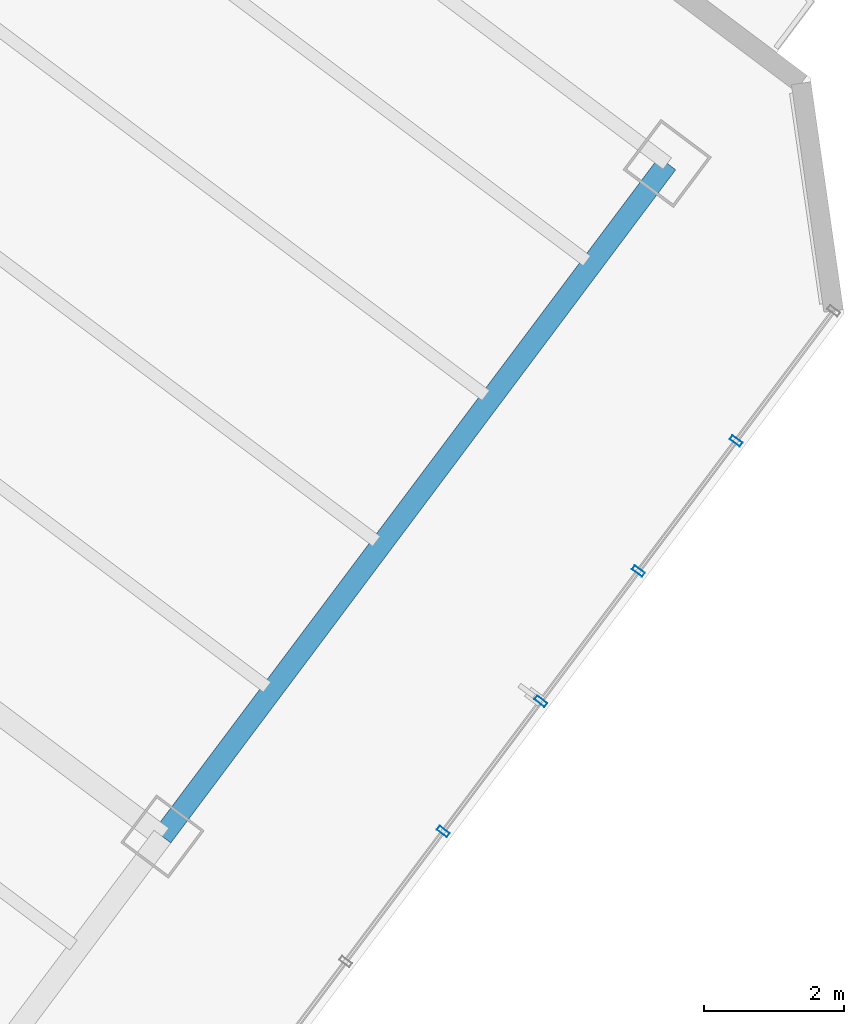
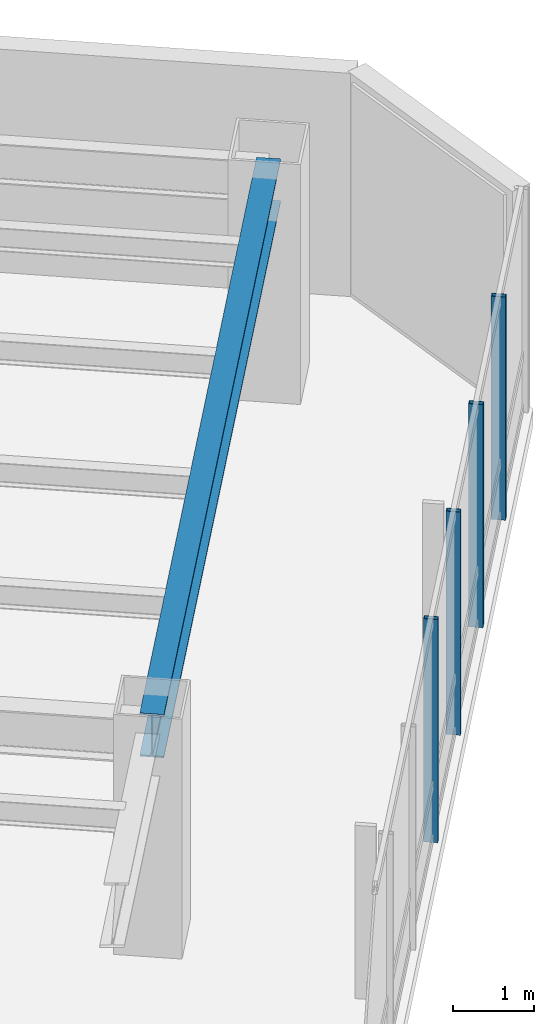
# One storey, part 10 of 29: 4 members, 1 beam, 1 element without a shape of its own.
"""IFC4 building model written with IfcOpenShell, lengths in metres."""

from ifc_helpers import new_model, si_unit, direction, frame, origin, origin_2d, place, context, subcontext, project, spatial, hollow_rectangle, i_section, extrude, material, layer, layer_set, material_profile, profile_set, type_object, element, aggregate, save


model = new_model("IFC4")

# Units and contexts
model_context = context("Model", 3, precision=1e-05, world=origin(), true_north=direction((0.0, 1.0)))
body_context = subcontext(model_context, "Body", "Model", "MODEL_VIEW")
ifc_project = project(units=[si_unit("LENGTHUNIT", "METRE"), si_unit("AREAUNIT", "SQUARE_METRE"), si_unit("VOLUMEUNIT", "CUBIC_METRE"), si_unit("PLANEANGLEUNIT", "RADIAN"), si_unit("MASSUNIT", "GRAM", prefix="KILO")], contexts=[model_context])

# Site, building, storey
site_placement = place(None, origin())
site = spatial("IfcSite", under=ifc_project, at=site_placement, CompositionType="ELEMENT")
building_placement = place(site_placement, origin())
building = spatial("IfcBuilding", under=site, at=building_placement, Name="Hatsunagi Terrace Concourse", CompositionType="ELEMENT")
storey_placement = place(building_placement, frame((0.0, 0.0, 115.64990234375)))
storey = spatial("IfcBuildingStorey", under=building, at=storey_placement, Name="L30", CompositionType="ELEMENT", Elevation=115.64990234375)

# Curtain wall, members
ifc_material_1 = material(Name="Anodised Aluminium Alloy 6063-T5", Category="aluminium")
ifc_layer = layer(ifc_material_1, 0.199951171875)
ifc_layer_set = layer_set([ifc_layer], Name="OfficeZone1_CW03")
curtain_wall_type = type_object("IfcCurtainWallType", Name="OfficeZone1_CW03", PredefinedType="NOTDEFINED", material=ifc_layer_set)
curtain_wall_placement = place(storey_placement, origin())
curtain_wall = element("IfcCurtainWall", 1, at=curtain_wall_placement, inside=storey, type_object=curtain_wall_type, Name="Unitised Curtain Wall CW-03 CW-L30-03", PredefinedType="NOTDEFINED")
ifc_material_2 = material(Name="Anodised Aluminium Alloy 6063-T5", Category="aluminium")
ifc_material_profile_1 = material_profile(ifc_material_2, hollow_rectangle(XDim=0.070068359375, YDim=0.179931640625, WallThickness=0.00390625, at=origin_2d()), Name="ALU-MUL-180x70x4")
ifc_profile_set_1 = profile_set([ifc_material_profile_1], Name="Anodised Aluminium Alloy 6063-T5")
member_type = type_object("IfcMemberType", Name="CurtainWallMullion_180x70", PredefinedType="MULLION", material=ifc_profile_set_1)
member_1_placement = place(storey_placement, frame((67.700927734375, 17.802001953125, 0.0), z_axis=(0.0, 0.0, 1.0), x_axis=(-0.599969314634, -0.800023013105, 0.0)))
member_1 = element("IfcMember", 2, at=member_1_placement, type_object=member_type, Name="Curtain Wall Mullion MUL-02", PredefinedType="MULLION", context=body_context, shape_type="SweptSolid", body=[
    extrude(hollow_rectangle(XDim=0.070068359375, YDim=0.179931640625, WallThickness=0.00390625, at=origin_2d()), origin(), (0.0, 0.0, 1.0), 3.35009765625),
])
member_2_placement = place(storey_placement, frame((66.30908203125, 15.945068359375, 0.0), z_axis=(0.0, 0.0, 1.0), x_axis=(-0.599969314634, -0.800023013105, 0.0)))
member_2 = element("IfcMember", 3, at=member_2_placement, type_object=member_type, Name="Curtain Wall Mullion MUL-02", PredefinedType="MULLION", context=body_context, shape_type="SweptSolid", body=[
    extrude(hollow_rectangle(XDim=0.070068359375, YDim=0.179931640625, WallThickness=0.00390625, at=origin_2d()), origin(), (0.0, 0.0, 1.0), 3.35009765625),
])
member_3_placement = place(storey_placement, frame((64.916015625, 14.089111328125, 0.0), z_axis=(0.0, 0.0, 1.0), x_axis=(-0.599969314634, -0.800023013105, 0.0)))
member_3 = element("IfcMember", 4, at=member_3_placement, type_object=member_type, Name="Curtain Wall Mullion MUL-02", PredefinedType="MULLION", context=body_context, shape_type="SweptSolid", body=[
    extrude(hollow_rectangle(XDim=0.070068359375, YDim=0.179931640625, WallThickness=0.00390625, at=origin_2d()), origin(), (0.0, 0.0, 1.0), 3.35009765625),
])
member_4_placement = place(storey_placement, frame((63.52392578125, 12.23193359375, 0.0), z_axis=(0.0, 0.0, 1.0), x_axis=(-0.599969314634, -0.800023013105, 0.0)))
member_4 = element("IfcMember", 5, at=member_4_placement, type_object=member_type, Name="Curtain Wall Mullion MUL-02", PredefinedType="MULLION", context=body_context, shape_type="SweptSolid", body=[
    extrude(hollow_rectangle(XDim=0.070068359375, YDim=0.179931640625, WallThickness=0.00390625, at=origin_2d()), origin(), (0.0, 0.0, 1.0), 3.35009765625),
])
aggregate(curtain_wall, [member_1, member_2, member_3, member_4])

# Beam
ifc_material_3 = material(Name="Steel SN490B", Category="steel")
ifc_material_profile_2 = material_profile(ifc_material_3, i_section(OverallWidth=0.300048828125, OverallDepth=0.64990234375, WebThickness=0.012939453125, FlangeThickness=0.02197265625, FilletRadius=0.01806640625, at=origin_2d()), Name="H-650x300x13x22")
ifc_profile_set_2 = profile_set([ifc_material_profile_2], Name="Steel SN490B")
beam_type = type_object("IfcBeamType", Name="OfficeLowGirder_H_650x300", PredefinedType="BEAM", material=ifc_profile_set_2)
beam_placement = place(storey_placement, frame((59.52001953125, 12.159912109375, 3.025146484375), z_axis=(0.59999348959, 0.800004882766, 0.0), x_axis=(-0.800004882766, 0.59999348959, 0.0)))
element("IfcBeam", 6, at=beam_placement, inside=storey, type_object=beam_type, Name="Beam G-05 BM-L30-SET-3B", PredefinedType="BEAM", context=body_context, shape_type="SweptSolid", body=[
    extrude(i_section(OverallWidth=0.300048828125, OverallDepth=0.64990234375, WebThickness=0.012939453125, FlangeThickness=0.02197265625, FilletRadius=0.01806640625, at=origin_2d()), origin(), (0.0, 0.0, 1.0), 12.0),
])

save(model, "model.ifc")
